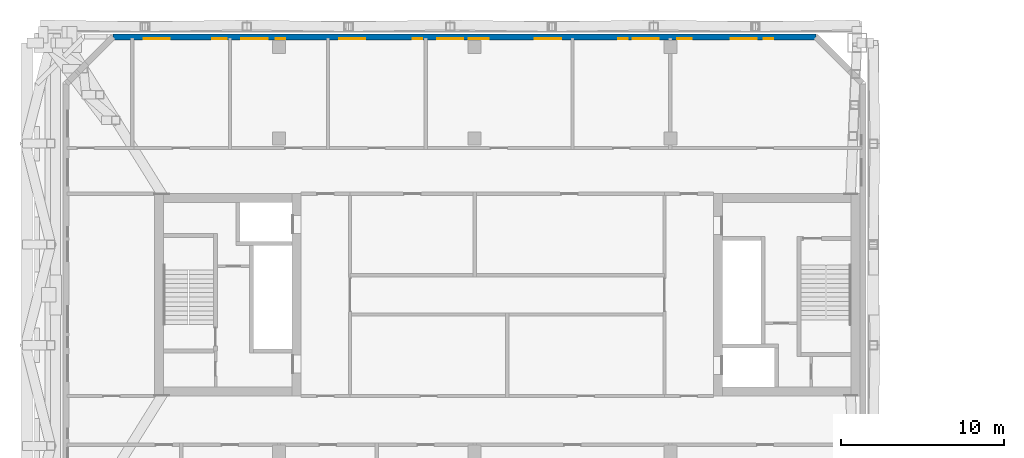
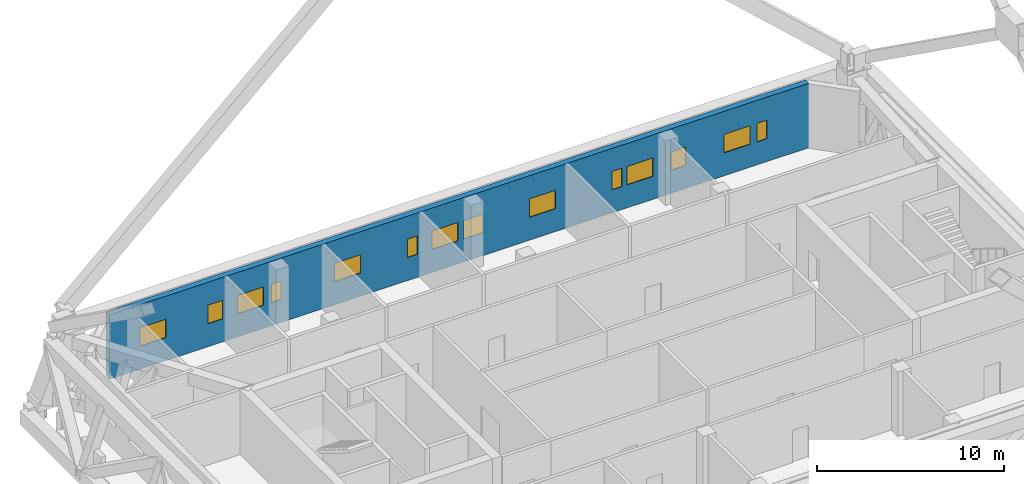
# One storey, part 11 of 22: 14 windows, 1 wall, 14 openings.
"""IFC4 building model written with IfcOpenShell, lengths in metres."""

import ifcopenshell
import ifcopenshell.guid

model = None  # the IFC model being written
_history = None  # IfcOwnerHistory: only IFC2X3 demands one
_inside = {}  # id of a spatial element -> (the spatial element, [elements in it])
_under = {}  # id of a project, library or spatial element -> (it, [spatial elements below it])
_declared = {}  # id of a project -> (the project, [libraries it declares])
_typed = {}  # id of a type object -> (the type object, [elements of that type])
_made_of = {}  # id of a material, layer set ... -> (it, [elements and type objects made of it])


def new_model(schema):
    """Start an empty IFC model of exactly this schema.

    Asked for "IFC4X3", IfcOpenShell would pick the latest addendum, in which some entities
    have other attributes; the version numbers below select the first issue.
    IFC2X3 requires an IfcOwnerHistory on every rooted entity: one is made here for all.
    """
    global model, _history
    if schema == "IFC4X3":
        model = ifcopenshell.file(schema_version=(4, 3, 0, 0))
    else:
        model = ifcopenshell.file(schema=schema)
    _inside.clear()
    _under.clear()
    _declared.clear()
    _typed.clear()
    _made_of.clear()
    _history = None
    if model.schema == "IFC2X3":
        org = make("IfcOrganization", Name="unknown")
        user = make(
            "IfcPersonAndOrganization",
            ThePerson=make("IfcPerson", FamilyName="unknown"),
            TheOrganization=org,
        )
        app = make(
            "IfcApplication",
            ApplicationDeveloper=org,
            Version="unknown",
            ApplicationFullName="unknown",
            ApplicationIdentifier="unknown",
        )
        _history = make(
            "IfcOwnerHistory",
            OwningUser=user,
            OwningApplication=app,
            ChangeAction="ADDED",
            CreationDate=0,
        )
    return model


def make(cls, **values):
    """One entity of the class cls with the attributes given. An attribute that is None is left unset."""
    return model.create_entity(
        cls, **{name: value for name, value in values.items() if value is not None}
    )


def rooted(cls, **values):
    """An entity with a GlobalId (a new one), such as an element, a storey or a relation."""
    return make(cls, GlobalId=ifcopenshell.guid.new(), OwnerHistory=_history, **values)


def si_unit(unit_type, name, prefix=None):
    """IfcSIUnit, for example si_unit("LENGTHUNIT", "METRE", prefix="MILLI")."""
    return make("IfcSIUnit", UnitType=unit_type, Prefix=prefix, Name=name)


def assignment(units):
    """IfcUnitAssignment: the units of a project."""
    return None if units is None else make("IfcUnitAssignment", Units=units)


def point(xyz):
    """IfcCartesianPoint."""
    return None if xyz is None else make("IfcCartesianPoint", Coordinates=xyz)


def direction(xyz):
    """IfcDirection."""
    return None if xyz is None else make("IfcDirection", DirectionRatios=xyz)


def frame(location, z_axis=None, x_axis=None):
    """IfcAxis2Placement3D, a coordinate frame: its origin and axes. An axis left out is left unset."""
    return make(
        "IfcAxis2Placement3D",
        Location=point(location),
        Axis=direction(z_axis),
        RefDirection=direction(x_axis),
    )


def frame_2d(location, x_axis=None):
    """IfcAxis2Placement2D, a coordinate frame in the plane: its origin and x axis."""
    return make(
        "IfcAxis2Placement2D", Location=point(location), RefDirection=direction(x_axis)
    )


def origin():
    """The frame at (0, 0, 0) with its axes left unset."""
    return frame((0.0, 0.0, 0.0))


def place(relative_to, where):
    """IfcLocalPlacement: puts the frame where relative to a parent placement (None: the world)."""
    return make(
        "IfcLocalPlacement", PlacementRelTo=relative_to, RelativePlacement=where
    )


def context(
    kind, dimensions, precision=None, world=None, true_north=None, identifier=None
):
    """IfcGeometricRepresentationContext, for example the 3D "Model" context."""
    return make(
        "IfcGeometricRepresentationContext",
        ContextIdentifier=identifier,
        ContextType=kind,
        CoordinateSpaceDimension=dimensions,
        Precision=precision,
        WorldCoordinateSystem=world,
        TrueNorth=true_north,
    )


def subcontext(parent, identifier, kind, view, scale=None):
    """IfcGeometricRepresentationSubContext, for example "Body" below "Model"."""
    return make(
        "IfcGeometricRepresentationSubContext",
        ContextIdentifier=identifier,
        ContextType=kind,
        ParentContext=parent,
        TargetScale=scale,
        TargetView=view,
    )


def project(units=None, contexts=None):
    """IfcProject with its units and contexts."""
    return rooted(
        "IfcProject",
        Name="project",
        RepresentationContexts=contexts,
        UnitsInContext=assignment(units),
    )


def spatial(cls, under=None, at=None, **own):
    """A site, building, storey or space (cls), placed at a placement, below another one or the project."""
    s = rooted(cls, ObjectPlacement=at, **own)
    if under is not None:
        _under.setdefault(under.id(), (under, []))[1].append(s)
    return s


def profile(cls, at=None, kind="AREA", **sizes):
    """A parametric profile (cls). Its sizes go by their IFC names, for example OverallWidth=200.0."""
    return make(cls, ProfileType=kind, Position=at, **sizes)


def rectangle(**sizes):
    """IfcRectangleProfileDef."""
    return profile("IfcRectangleProfileDef", **sizes)


def extrude(swept, where, along, depth):
    """IfcExtrudedAreaSolid: the profile swept, set in the frame where, extruded along a direction by depth."""
    return make(
        "IfcExtrudedAreaSolid",
        SweptArea=swept,
        Position=where,
        ExtrudedDirection=direction(along),
        Depth=depth,
    )


def shape(context_of_items, identifier, shape_type, items):
    """IfcShapeRepresentation: the items that make up one representation, for example the "Body"."""
    return make(
        "IfcShapeRepresentation",
        ContextOfItems=context_of_items,
        RepresentationIdentifier=identifier,
        RepresentationType=shape_type,
        Items=items,
    )


def material(Name=None, Category=None):
    """IfcMaterial."""
    return make("IfcMaterial", Name=Name, Category=Category)


def layer(
    of_material, thickness, ventilated=None, Name=None, Category=None, Priority=None
):
    """IfcMaterialLayer: one layer of a wall or slab, of a material (None: an air gap)."""
    return make(
        "IfcMaterialLayer",
        Material=of_material,
        LayerThickness=thickness,
        IsVentilated=ventilated,
        Name=Name,
        Category=Category,
        Priority=Priority,
    )


def layer_set(layers, Name=None):
    """IfcMaterialLayerSet."""
    return make("IfcMaterialLayerSet", MaterialLayers=layers, LayerSetName=Name)


def made_of(thing, what):
    """Note that an element or type object is made of a material, layer set ...; save() writes the relation."""
    if what is not None:
        _made_of.setdefault(what.id(), (what, []))[1].append(thing)
    return thing


def type_object(cls, material=None, **own):
    """A type object (cls), such as IfcWallType, which elements share."""
    return made_of(rooted(cls, **own), material)


def element(
    cls,
    number,
    at=None,
    inside=None,
    cuts=None,
    type_object=None,
    material=None,
    context=None,
    identifier="Body",
    shape_type=None,
    held_by="IfcProductDefinitionShape",
    body=None,
    shapes=None,
    **own,
):
    """One element of the class cls, such as IfcWall. Its Tag is "e" and its number.

    at: its placement. inside: the storey or other place that contains it. cuts: it is an
    opening in that element (IfcRelVoidsElement). A single representation is given by context,
    identifier, shape_type and body (its items); several are given by shapes. held_by: the class
    of the entity that holds the representations. save() writes the other relations.
    """
    e = rooted(cls, Tag="e%d" % number, ObjectPlacement=at, **own)
    if body is not None:
        shapes = [shape(context, identifier, shape_type, body)]
    if shapes is not None:
        e.Representation = make(held_by, Representations=shapes)
    if inside is not None:
        _inside.setdefault(inside.id(), (inside, []))[1].append(e)
    if cuts is not None:
        rooted(
            "IfcRelVoidsElement", RelatingBuildingElement=cuts, RelatedOpeningElement=e
        )
    if type_object is not None:
        _typed.setdefault(type_object.id(), (type_object, []))[1].append(e)
    return made_of(e, material)


def fill(opening, filler):
    """IfcRelFillsElement: the door or window that sits in an opening."""
    return rooted(
        "IfcRelFillsElement",
        RelatingOpeningElement=opening,
        RelatedBuildingElement=filler,
    )


def aggregate(whole, parts):
    """IfcRelAggregates: a whole, such as a stair, and the parts it consists of."""
    return rooted("IfcRelAggregates", RelatingObject=whole, RelatedObjects=parts)


def save(model, path):
    """Write the relations noted so far, then the file.

    IfcRelAggregates (storeys below a building ...), IfcRelContainedInSpatialStructure (elements
    in a storey), IfcRelDefinesByType, IfcRelAssociatesMaterial and IfcRelDeclares: one each for
    every whole, place, type object, material and project.
    """
    for whole, parts in _under.values():
        aggregate(whole, parts)
    for where, things in _inside.values():
        rooted(
            "IfcRelContainedInSpatialStructure",
            RelatedElements=things,
            RelatingStructure=where,
        )
    for kind, things in _typed.values():
        rooted("IfcRelDefinesByType", RelatedObjects=things, RelatingType=kind)
    for what, things in _made_of.values():
        rooted("IfcRelAssociatesMaterial", RelatedObjects=things, RelatingMaterial=what)
    for by, libraries in _declared.values():
        rooted("IfcRelDeclares", RelatingContext=by, RelatedDefinitions=libraries)
    model.write(path)


model = new_model("IFC4")

# Units and contexts
model_context = context("Model", 3, precision=1e-05, world=origin(), true_north=direction((0.0, 1.0)))
body_context = subcontext(model_context, "Body", "Model", "MODEL_VIEW")
ifc_project = project(units=[si_unit("LENGTHUNIT", "METRE"), si_unit("AREAUNIT", "SQUARE_METRE"), si_unit("VOLUMEUNIT", "CUBIC_METRE"), si_unit("PLANEANGLEUNIT", "RADIAN"), si_unit("MASSUNIT", "GRAM", prefix="KILO")], contexts=[model_context])

# Site, building, storey
site_placement = place(None, origin())
site = spatial("IfcSite", under=ifc_project, at=site_placement, CompositionType="ELEMENT")
building_placement = place(site_placement, origin())
building = spatial("IfcBuilding", under=site, at=building_placement, Name="Tuart Gate Housing", CompositionType="ELEMENT")
storey_placement = place(building_placement, frame((0.0, 0.0, 115.0)))
storey = spatial("IfcBuildingStorey", under=building, at=storey_placement, Name="L32", CompositionType="ELEMENT", Elevation=115.0)

# Wall, openings, windows
ifc_material_1 = material(Name="Brick", Category="masonry")
ifc_layer = layer(ifc_material_1, 0.360107421875)
ifc_layer_set = layer_set([ifc_layer], Name="Brick pier and spandrel wall 360")
wall_type = type_object("IfcWallType", Name="Brick pier and spandrel wall 360", PredefinedType="STANDARD", material=ifc_layer_set)
wall_placement = place(storey_placement, frame((72.92529296875, 85.820068359375, 0.0), z_axis=(0.0, 0.0, 1.0), x_axis=(-1.0, 0.0, 0.0)))
wall = element("IfcWall", 1, at=wall_placement, inside=storey, type_object=wall_type, Name="External wall A-N L32", PredefinedType="STANDARD", context=body_context, shape_type="SweptSolid", body=[
    extrude(rectangle(XDim=43.100830078125, YDim=0.360107421875, at=frame_2d((21.55029296875, 0.0))), origin(), (0.0, 0.0, 1.0), 4.199951171875),
])
opening_1_placement = place(wall_placement, frame((2.60009765625, 0.0, 1.5)))
opening_1 = element("IfcOpeningElement", 2, at=opening_1_placement, cuts=wall, Name="Opening W3C", PredefinedType="OPENING", context=body_context, shape_type="SweptSolid", body=[
    extrude(rectangle(XDim=0.60009765625, YDim=1.199951171875, at=frame_2d((0.300048828125, 0.60009765625))), frame((0.0, 0.18994140625, 0.0), z_axis=(0.0, -1.0, 0.0), x_axis=(1.0, 0.0, 0.0)), (0.0, 0.0, 1.0), 0.380126953125),
])
opening_2_placement = place(wall_placement, frame((3.62548828125, 0.0, 1.5)))
opening_2 = element("IfcOpeningElement", 3, at=opening_2_placement, cuts=wall, Name="Opening W3", PredefinedType="OPENING", context=body_context, shape_type="SweptSolid", body=[
    extrude(rectangle(XDim=1.60009765625, YDim=1.199951171875, at=frame_2d((0.800048828125, 0.60009765625))), frame((0.0, 0.18994140625, 0.0), z_axis=(0.0, -1.0, 0.0), x_axis=(1.0, 0.0, 0.0)), (0.0, 0.0, 1.0), 0.380126953125),
])
opening_3_placement = place(wall_placement, frame((7.60009765625, 0.0, 1.5)))
opening_3 = element("IfcOpeningElement", 4, at=opening_3_placement, cuts=wall, Name="Opening W3B", PredefinedType="OPENING", context=body_context, shape_type="SweptSolid", body=[
    extrude(rectangle(XDim=0.89990234375, YDim=1.199951171875, at=frame_2d((0.449951171875, 0.60009765625))), frame((0.0, 0.18994140625, 0.0), z_axis=(0.0, -1.0, 0.0), x_axis=(1.0, 0.0, 0.0)), (0.0, 0.0, 1.0), 0.380126953125),
])
opening_4_placement = place(wall_placement, frame((9.62548828125, 0.0, 1.5)))
opening_4 = element("IfcOpeningElement", 5, at=opening_4_placement, cuts=wall, Name="Opening W3", PredefinedType="OPENING", context=body_context, shape_type="SweptSolid", body=[
    extrude(rectangle(XDim=1.60009765625, YDim=1.199951171875, at=frame_2d((0.800048828125, 0.60009765625))), frame((0.0, 0.18994140625, 0.0), z_axis=(0.0, -1.0, 0.0), x_axis=(1.0, 0.0, 0.0)), (0.0, 0.0, 1.0), 0.380126953125),
])
opening_5_placement = place(wall_placement, frame((11.525390625, 0.0, 1.5)))
opening_5 = element("IfcOpeningElement", 6, at=opening_5_placement, cuts=wall, Name="Opening W3C", PredefinedType="OPENING", context=body_context, shape_type="SweptSolid", body=[
    extrude(rectangle(XDim=0.60009765625, YDim=1.199951171875, at=frame_2d((0.300048828125, 0.60009765625))), frame((0.0, 0.18994140625, 0.0), z_axis=(0.0, -1.0, 0.0), x_axis=(1.0, 0.0, 0.0)), (0.0, 0.0, 1.0), 0.380126953125),
])
opening_6_placement = place(wall_placement, frame((15.62548828125, 0.0, 1.5)))
opening_6 = element("IfcOpeningElement", 7, at=opening_6_placement, cuts=wall, Name="Opening W3", PredefinedType="OPENING", context=body_context, shape_type="SweptSolid", body=[
    extrude(rectangle(XDim=1.60009765625, YDim=1.199951171875, at=frame_2d((0.800048828125, 0.60009765625))), frame((0.0, 0.18994140625, 0.0), z_axis=(0.0, -1.0, 0.0), x_axis=(1.0, 0.0, 0.0)), (0.0, 0.0, 1.0), 0.380126953125),
])
opening_7_placement = place(wall_placement, frame((20.075439453125, 0.0, 1.5)))
opening_7 = element("IfcOpeningElement", 8, at=opening_7_placement, cuts=wall, Name="Opening W3A", PredefinedType="OPENING", context=body_context, shape_type="SweptSolid", body=[
    extrude(rectangle(XDim=1.199951171875, YDim=1.199951171875, at=frame_2d((0.60009765625, 0.60009765625))), frame((0.0, 0.18994140625, 0.0), z_axis=(0.0, -1.0, 0.0), x_axis=(1.0, 0.0, 0.0)), (0.0, 0.0, 1.0), 0.380126953125),
])
opening_8_placement = place(wall_placement, frame((21.62548828125, 0.0, 1.5)))
opening_8 = element("IfcOpeningElement", 9, at=opening_8_placement, cuts=wall, Name="Opening W3", PredefinedType="OPENING", context=body_context, shape_type="SweptSolid", body=[
    extrude(rectangle(XDim=1.60009765625, YDim=1.199951171875, at=frame_2d((0.800048828125, 0.60009765625))), frame((0.0, 0.18994140625, 0.0), z_axis=(0.0, -1.0, 0.0), x_axis=(1.0, 0.0, 0.0)), (0.0, 0.0, 1.0), 0.380126953125),
])
opening_9_placement = place(wall_placement, frame((24.12548828125, 0.0, 1.5)))
opening_9 = element("IfcOpeningElement", 10, at=opening_9_placement, cuts=wall, Name="Opening W3C", PredefinedType="OPENING", context=body_context, shape_type="SweptSolid", body=[
    extrude(rectangle(XDim=0.60009765625, YDim=1.199951171875, at=frame_2d((0.300048828125, 0.60009765625))), frame((0.0, 0.18994140625, 0.0), z_axis=(0.0, -1.0, 0.0), x_axis=(1.0, 0.0, 0.0)), (0.0, 0.0, 1.0), 0.380126953125),
])
opening_10_placement = place(wall_placement, frame((27.62548828125, 0.0, 1.5)))
opening_10 = element("IfcOpeningElement", 11, at=opening_10_placement, cuts=wall, Name="Opening W3", PredefinedType="OPENING", context=body_context, shape_type="SweptSolid", body=[
    extrude(rectangle(XDim=1.60009765625, YDim=1.199951171875, at=frame_2d((0.800048828125, 0.60009765625))), frame((0.0, 0.18994140625, 0.0), z_axis=(0.0, -1.0, 0.0), x_axis=(1.0, 0.0, 0.0)), (0.0, 0.0, 1.0), 0.380126953125),
])
opening_11_placement = place(wall_placement, frame((32.525390625, 0.0, 1.5)))
opening_11 = element("IfcOpeningElement", 12, at=opening_11_placement, cuts=wall, Name="Opening W3C", PredefinedType="OPENING", context=body_context, shape_type="SweptSolid", body=[
    extrude(rectangle(XDim=0.60009765625, YDim=1.199951171875, at=frame_2d((0.300048828125, 0.60009765625))), frame((0.0, 0.18994140625, 0.0), z_axis=(0.0, -1.0, 0.0), x_axis=(1.0, 0.0, 0.0)), (0.0, 0.0, 1.0), 0.380126953125),
])
opening_12_placement = place(wall_placement, frame((33.62548828125, 0.0, 1.5)))
opening_12 = element("IfcOpeningElement", 13, at=opening_12_placement, cuts=wall, Name="Opening W3", PredefinedType="OPENING", context=body_context, shape_type="SweptSolid", body=[
    extrude(rectangle(XDim=1.60009765625, YDim=1.199951171875, at=frame_2d((0.800048828125, 0.60009765625))), frame((0.0, 0.18994140625, 0.0), z_axis=(0.0, -1.0, 0.0), x_axis=(1.0, 0.0, 0.0)), (0.0, 0.0, 1.0), 0.380126953125),
])
opening_13_placement = place(wall_placement, frame((36.12548828125, 0.0, 1.5)))
opening_13 = element("IfcOpeningElement", 14, at=opening_13_placement, cuts=wall, Name="Opening W3B", PredefinedType="OPENING", context=body_context, shape_type="SweptSolid", body=[
    extrude(rectangle(XDim=0.89990234375, YDim=1.199951171875, at=frame_2d((0.449951171875, 0.60009765625))), frame((0.0, 0.18994140625, 0.0), z_axis=(0.0, -1.0, 0.0), x_axis=(1.0, 0.0, 0.0)), (0.0, 0.0, 1.0), 0.380126953125),
])
opening_14_placement = place(wall_placement, frame((39.62548828125, 0.0, 1.5)))
opening_14 = element("IfcOpeningElement", 15, at=opening_14_placement, cuts=wall, Name="Opening W3", PredefinedType="OPENING", context=body_context, shape_type="SweptSolid", body=[
    extrude(rectangle(XDim=1.60009765625, YDim=1.199951171875, at=frame_2d((0.800048828125, 0.60009765625))), frame((0.0, 0.18994140625, 0.0), z_axis=(0.0, -1.0, 0.0), x_axis=(1.0, 0.0, 0.0)), (0.0, 0.0, 1.0), 0.380126953125),
])
ifc_material_2 = material(Name="Aluminium louvre blades", Category="aluminium")
window_type_1 = type_object("IfcWindowType", Name="Louvre window 1200 x 1200", PartitioningType="DOUBLE_PANEL_HORIZONTAL", PredefinedType="WINDOW", material=ifc_material_2)
window_1_placement = place(opening_7_placement, origin())
window_1 = element("IfcWindow", 16, at=window_1_placement, inside=storey, type_object=window_type_1, Name="Louvre W3A", OverallHeight=1.199951171875, OverallWidth=1.199951171875, PartitioningType="DOUBLE_PANEL_HORIZONTAL", PredefinedType="WINDOW", context=body_context, shape_type="SweptSolid", body=[
    extrude(rectangle(XDim=1.199951171875, YDim=1.199951171875, at=frame_2d((0.60009765625, 0.60009765625))), frame((0.0, 0.150146484375, 0.0), z_axis=(0.0, -1.0, 0.0), x_axis=(1.0, 0.0, 0.0)), (0.0, 0.0, 1.0), 0.06005859375),
])
fill(opening_7, window_1)
ifc_material_3 = material(Name="Aluminium louvre blades", Category="aluminium")
window_type_2 = type_object("IfcWindowType", Name="Louvre window 1600 x 1200", PartitioningType="DOUBLE_PANEL_HORIZONTAL", PredefinedType="WINDOW", material=ifc_material_3)
window_2_placement = place(opening_2_placement, origin())
window_2 = element("IfcWindow", 17, at=window_2_placement, inside=storey, type_object=window_type_2, Name="Louvre W3", OverallHeight=1.199951171875, OverallWidth=1.60009765625, PartitioningType="DOUBLE_PANEL_HORIZONTAL", PredefinedType="WINDOW", context=body_context, shape_type="SweptSolid", body=[
    extrude(rectangle(XDim=1.60009765625, YDim=1.199951171875, at=frame_2d((0.800048828125, 0.60009765625))), frame((0.0, 0.150146484375, 0.0), z_axis=(0.0, -1.0, 0.0), x_axis=(1.0, 0.0, 0.0)), (0.0, 0.0, 1.0), 0.06005859375),
])
fill(opening_2, window_2)
window_3_placement = place(opening_4_placement, origin())
window_3 = element("IfcWindow", 18, at=window_3_placement, inside=storey, type_object=window_type_2, Name="Louvre W3", OverallHeight=1.199951171875, OverallWidth=1.60009765625, PartitioningType="DOUBLE_PANEL_HORIZONTAL", PredefinedType="WINDOW", context=body_context, shape_type="SweptSolid", body=[
    extrude(rectangle(XDim=1.60009765625, YDim=1.199951171875, at=frame_2d((0.800048828125, 0.60009765625))), frame((0.0, 0.150146484375, 0.0), z_axis=(0.0, -1.0, 0.0), x_axis=(1.0, 0.0, 0.0)), (0.0, 0.0, 1.0), 0.06005859375),
])
fill(opening_4, window_3)
window_4_placement = place(opening_6_placement, origin())
window_4 = element("IfcWindow", 19, at=window_4_placement, inside=storey, type_object=window_type_2, Name="Louvre W3", OverallHeight=1.199951171875, OverallWidth=1.60009765625, PartitioningType="DOUBLE_PANEL_HORIZONTAL", PredefinedType="WINDOW", context=body_context, shape_type="SweptSolid", body=[
    extrude(rectangle(XDim=1.60009765625, YDim=1.199951171875, at=frame_2d((0.800048828125, 0.60009765625))), frame((0.0, 0.150146484375, 0.0), z_axis=(0.0, -1.0, 0.0), x_axis=(1.0, 0.0, 0.0)), (0.0, 0.0, 1.0), 0.06005859375),
])
fill(opening_6, window_4)
window_5_placement = place(opening_8_placement, origin())
window_5 = element("IfcWindow", 20, at=window_5_placement, inside=storey, type_object=window_type_2, Name="Louvre W3", OverallHeight=1.199951171875, OverallWidth=1.60009765625, PartitioningType="DOUBLE_PANEL_HORIZONTAL", PredefinedType="WINDOW", context=body_context, shape_type="SweptSolid", body=[
    extrude(rectangle(XDim=1.60009765625, YDim=1.199951171875, at=frame_2d((0.800048828125, 0.60009765625))), frame((0.0, 0.150146484375, 0.0), z_axis=(0.0, -1.0, 0.0), x_axis=(1.0, 0.0, 0.0)), (0.0, 0.0, 1.0), 0.06005859375),
])
fill(opening_8, window_5)
window_6_placement = place(opening_10_placement, origin())
window_6 = element("IfcWindow", 21, at=window_6_placement, inside=storey, type_object=window_type_2, Name="Louvre W3", OverallHeight=1.199951171875, OverallWidth=1.60009765625, PartitioningType="DOUBLE_PANEL_HORIZONTAL", PredefinedType="WINDOW", context=body_context, shape_type="SweptSolid", body=[
    extrude(rectangle(XDim=1.60009765625, YDim=1.199951171875, at=frame_2d((0.800048828125, 0.60009765625))), frame((0.0, 0.150146484375, 0.0), z_axis=(0.0, -1.0, 0.0), x_axis=(1.0, 0.0, 0.0)), (0.0, 0.0, 1.0), 0.06005859375),
])
fill(opening_10, window_6)
window_7_placement = place(opening_12_placement, origin())
window_7 = element("IfcWindow", 22, at=window_7_placement, inside=storey, type_object=window_type_2, Name="Louvre W3", OverallHeight=1.199951171875, OverallWidth=1.60009765625, PartitioningType="DOUBLE_PANEL_HORIZONTAL", PredefinedType="WINDOW", context=body_context, shape_type="SweptSolid", body=[
    extrude(rectangle(XDim=1.60009765625, YDim=1.199951171875, at=frame_2d((0.800048828125, 0.60009765625))), frame((0.0, 0.150146484375, 0.0), z_axis=(0.0, -1.0, 0.0), x_axis=(1.0, 0.0, 0.0)), (0.0, 0.0, 1.0), 0.06005859375),
])
fill(opening_12, window_7)
window_8_placement = place(opening_14_placement, origin())
window_8 = element("IfcWindow", 23, at=window_8_placement, inside=storey, type_object=window_type_2, Name="Louvre W3", OverallHeight=1.199951171875, OverallWidth=1.60009765625, PartitioningType="DOUBLE_PANEL_HORIZONTAL", PredefinedType="WINDOW", context=body_context, shape_type="SweptSolid", body=[
    extrude(rectangle(XDim=1.60009765625, YDim=1.199951171875, at=frame_2d((0.800048828125, 0.60009765625))), frame((0.0, 0.150146484375, 0.0), z_axis=(0.0, -1.0, 0.0), x_axis=(1.0, 0.0, 0.0)), (0.0, 0.0, 1.0), 0.06005859375),
])
fill(opening_14, window_8)
ifc_material_4 = material(Name="Aluminium louvre blades", Category="aluminium")
window_type_3 = type_object("IfcWindowType", Name="Louvre window 600 x 1200", PartitioningType="DOUBLE_PANEL_HORIZONTAL", PredefinedType="WINDOW", material=ifc_material_4)
window_9_placement = place(opening_1_placement, origin())
window_9 = element("IfcWindow", 24, at=window_9_placement, inside=storey, type_object=window_type_3, Name="Louvre W3C", OverallHeight=1.199951171875, OverallWidth=0.60009765625, PartitioningType="DOUBLE_PANEL_HORIZONTAL", PredefinedType="WINDOW", context=body_context, shape_type="SweptSolid", body=[
    extrude(rectangle(XDim=0.60009765625, YDim=1.199951171875, at=frame_2d((0.300048828125, 0.60009765625))), frame((0.0, 0.150146484375, 0.0), z_axis=(0.0, -1.0, 0.0), x_axis=(1.0, 0.0, 0.0)), (0.0, 0.0, 1.0), 0.06005859375),
])
fill(opening_1, window_9)
window_10_placement = place(opening_5_placement, origin())
window_10 = element("IfcWindow", 25, at=window_10_placement, inside=storey, type_object=window_type_3, Name="Louvre W3C", OverallHeight=1.199951171875, OverallWidth=0.60009765625, PartitioningType="DOUBLE_PANEL_HORIZONTAL", PredefinedType="WINDOW", context=body_context, shape_type="SweptSolid", body=[
    extrude(rectangle(XDim=0.60009765625, YDim=1.199951171875, at=frame_2d((0.300048828125, 0.60009765625))), frame((0.0, 0.150146484375, 0.0), z_axis=(0.0, -1.0, 0.0), x_axis=(1.0, 0.0, 0.0)), (0.0, 0.0, 1.0), 0.06005859375),
])
fill(opening_5, window_10)
window_11_placement = place(opening_9_placement, origin())
window_11 = element("IfcWindow", 26, at=window_11_placement, inside=storey, type_object=window_type_3, Name="Louvre W3C", OverallHeight=1.199951171875, OverallWidth=0.60009765625, PartitioningType="DOUBLE_PANEL_HORIZONTAL", PredefinedType="WINDOW", context=body_context, shape_type="SweptSolid", body=[
    extrude(rectangle(XDim=0.60009765625, YDim=1.199951171875, at=frame_2d((0.300048828125, 0.60009765625))), frame((0.0, 0.150146484375, 0.0), z_axis=(0.0, -1.0, 0.0), x_axis=(1.0, 0.0, 0.0)), (0.0, 0.0, 1.0), 0.06005859375),
])
fill(opening_9, window_11)
window_12_placement = place(opening_11_placement, origin())
window_12 = element("IfcWindow", 27, at=window_12_placement, inside=storey, type_object=window_type_3, Name="Louvre W3C", OverallHeight=1.199951171875, OverallWidth=0.60009765625, PartitioningType="DOUBLE_PANEL_HORIZONTAL", PredefinedType="WINDOW", context=body_context, shape_type="SweptSolid", body=[
    extrude(rectangle(XDim=0.60009765625, YDim=1.199951171875, at=frame_2d((0.300048828125, 0.60009765625))), frame((0.0, 0.150146484375, 0.0), z_axis=(0.0, -1.0, 0.0), x_axis=(1.0, 0.0, 0.0)), (0.0, 0.0, 1.0), 0.06005859375),
])
fill(opening_11, window_12)
ifc_material_5 = material(Name="Aluminium louvre blades", Category="aluminium")
window_type_4 = type_object("IfcWindowType", Name="Louvre window 900 x 1200", PartitioningType="DOUBLE_PANEL_HORIZONTAL", PredefinedType="WINDOW", material=ifc_material_5)
window_13_placement = place(opening_3_placement, origin())
window_13 = element("IfcWindow", 28, at=window_13_placement, inside=storey, type_object=window_type_4, Name="Louvre W3B", OverallHeight=1.199951171875, OverallWidth=0.89990234375, PartitioningType="DOUBLE_PANEL_HORIZONTAL", PredefinedType="WINDOW", context=body_context, shape_type="SweptSolid", body=[
    extrude(rectangle(XDim=0.89990234375, YDim=1.199951171875, at=frame_2d((0.449951171875, 0.60009765625))), frame((0.0, 0.150146484375, 0.0), z_axis=(0.0, -1.0, 0.0), x_axis=(1.0, 0.0, 0.0)), (0.0, 0.0, 1.0), 0.06005859375),
])
fill(opening_3, window_13)
window_14_placement = place(opening_13_placement, origin())
window_14 = element("IfcWindow", 29, at=window_14_placement, inside=storey, type_object=window_type_4, Name="Louvre W3B", OverallHeight=1.199951171875, OverallWidth=0.89990234375, PartitioningType="DOUBLE_PANEL_HORIZONTAL", PredefinedType="WINDOW", context=body_context, shape_type="SweptSolid", body=[
    extrude(rectangle(XDim=0.89990234375, YDim=1.199951171875, at=frame_2d((0.449951171875, 0.60009765625))), frame((0.0, 0.150146484375, 0.0), z_axis=(0.0, -1.0, 0.0), x_axis=(1.0, 0.0, 0.0)), (0.0, 0.0, 1.0), 0.06005859375),
])
fill(opening_13, window_14)

save(model, "model.ifc")
